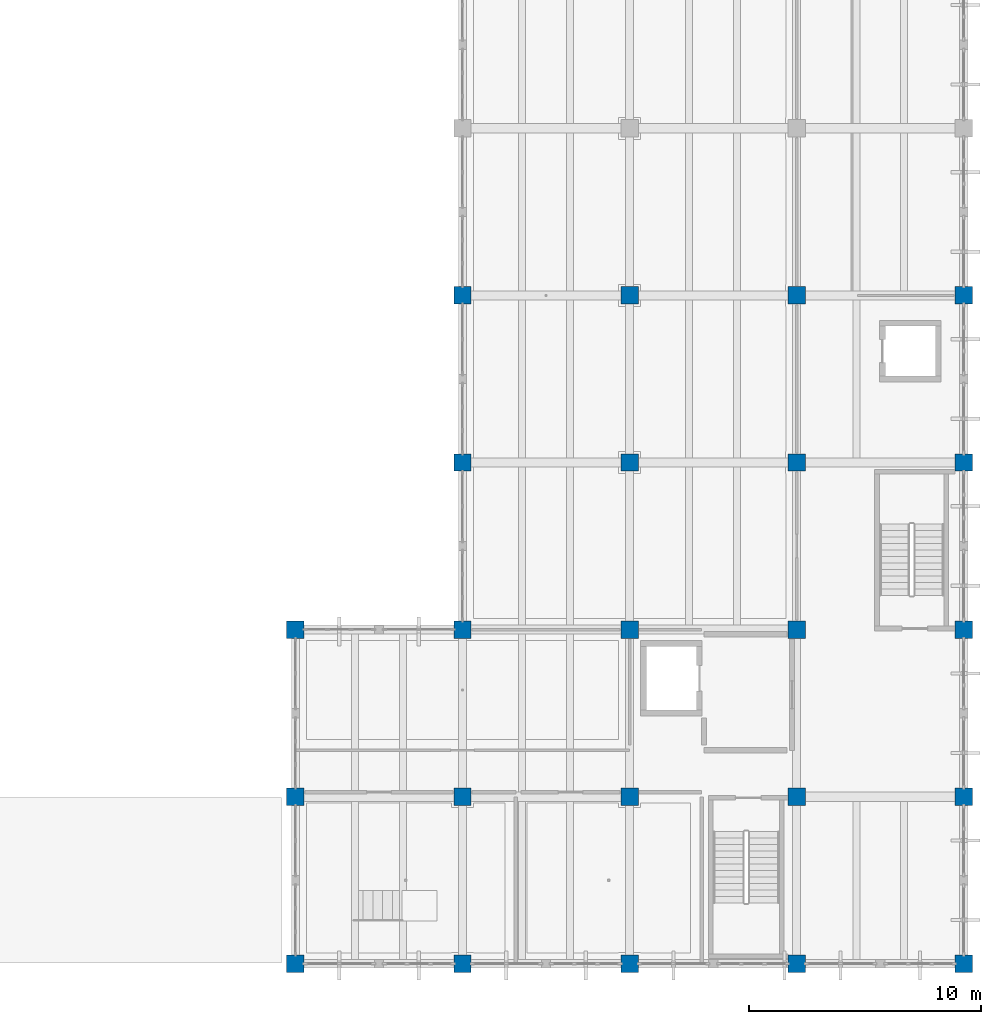
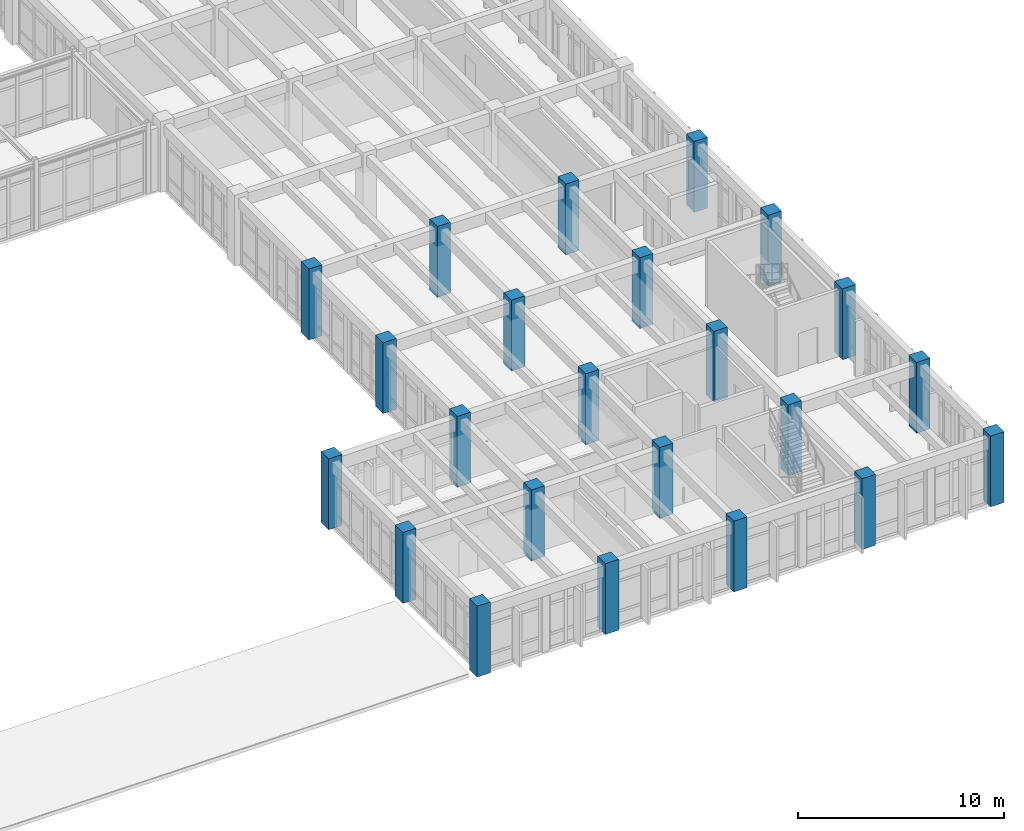
# One storey, part 4 of 136: 23 columns.
"""IFC4 building model written with IfcOpenShell, lengths in metres."""

from ifc_helpers import new_model, si_unit, direction, frame, origin, origin_2d, place, context, subcontext, project, spatial, rectangle, extrude, material, material_profile, profile_set, type_object, element, save


model = new_model("IFC4")

# Units and contexts
model_context = context("Model", 3, precision=1e-05, world=origin(), true_north=direction((0.0, 1.0)))
body_context = subcontext(model_context, "Body", "Model", "MODEL_VIEW")
ifc_project = project(units=[si_unit("LENGTHUNIT", "METRE"), si_unit("AREAUNIT", "SQUARE_METRE"), si_unit("VOLUMEUNIT", "CUBIC_METRE"), si_unit("PLANEANGLEUNIT", "RADIAN"), si_unit("MASSUNIT", "GRAM", prefix="KILO")], contexts=[model_context])

# Site, building, storey
site_placement = place(None, origin())
site = spatial("IfcSite", under=ifc_project, at=site_placement, CompositionType="ELEMENT")
building_placement = place(site_placement, origin())
building = spatial("IfcBuilding", under=site, at=building_placement, Name="Koriwan Promenade Central Fire Station", CompositionType="ELEMENT")
storey_placement = place(building_placement, frame((0.0, 0.0, 5.39990234375)))
storey = spatial("IfcBuildingStorey", under=building, at=storey_placement, Name="L01", CompositionType="ELEMENT", Elevation=5.39990234375)

# Columns
ifc_material = material(Name="Concrete C40/50", Category="concrete")
ifc_material_profile = material_profile(ifc_material, rectangle(XDim=0.75, YDim=0.75, at=origin_2d()), Name="RC-COL-750x750")
ifc_profile_set = profile_set([ifc_material_profile], Name="Concrete C40/50")
column_type = type_object("IfcColumnType", Name="Column_RC-COL-750x750", PredefinedType="COLUMN", material=ifc_profile_set)
for number, where, z_axis, x_axis, name in (
    (1, (144.0, 0.0, 0.0), (0.0, 0.0, 1.0), (1.0, 0.0, 0.0), "V5 L01 column (144.0, 0.0)"),
    (2, (144.0, 7.199951171875, 0.0), (0.0, 0.0, 1.0), (1.0, 0.0, 0.0), "V5 L01 column (144.0, 7.2)"),
    (3, (144.0, 14.39990234375, 0.0), (0.0, 0.0, 1.0), (1.0, 0.0, 0.0), "V5 L01 column (144.0, 14.4)"),
    (4, (151.199951171875, 0.0, 0.0), (0.0, 0.0, 1.0), (1.0, 0.0, 0.0), "V5 L01 column (151.2, 0.0)"),
    (5, (151.199951171875, 7.199951171875, 0.0), (0.0, 0.0, 1.0), (1.0, 0.0, 0.0), "V5 L01 column (151.2, 7.2)"),
    (6, (151.199951171875, 14.39990234375, 0.0), (0.0, 0.0, 1.0), (1.0, 0.0, 0.0), "V5 L01 column (151.2, 14.4)"),
    (7, (151.199951171875, 21.60009765625, 0.0), (0.0, 0.0, 1.0), (1.0, 0.0, 0.0), "V5 L01 column (151.2, 21.6)"),
    (8, (151.199951171875, 28.800048828125, 0.0), (0.0, 0.0, 1.0), (1.0, 0.0, 0.0), "V5 L01 column (151.2, 28.8)"),
    (9, (158.39990234375, 0.0, 0.0), (0.0, 0.0, 1.0), (1.0, 0.0, 0.0), "V5 L01 column (158.4, 0.0)"),
    (10, (158.39990234375, 7.199951171875, 0.0), (0.0, 0.0, 1.0), (1.0, 0.0, 0.0), "V5 L01 column (158.4, 7.2)"),
    (11, (158.39990234375, 14.39990234375, 0.0), (0.0, 0.0, 1.0), (1.0, 0.0, 0.0), "V5 L01 column (158.4, 14.4)"),
    (12, (158.39990234375, 21.60009765625, 0.0), (0.0, 0.0, 1.0), (1.0, 0.0, 0.0), "V5 L01 column (158.4, 21.6)"),
    (13, (158.39990234375, 28.800048828125, 0.0), (0.0, 0.0, 1.0), (1.0, 0.0, 0.0), "V5 L01 column (158.4, 28.8)"),
    (14, (165.60009765625, 0.0, 0.0), (0.0, 0.0, 1.0), (1.0, 0.0, 0.0), "V5 L01 column (165.6, 0.0)"),
    (15, (165.60009765625, 7.199951171875, 0.0), (0.0, 0.0, 1.0), (1.0, 0.0, 0.0), "V5 L01 column (165.6, 7.2)"),
    (16, (165.60009765625, 14.39990234375, 0.0), (0.0, 0.0, 1.0), (1.0, 0.0, 0.0), "V5 L01 column (165.6, 14.4)"),
    (17, (165.60009765625, 21.60009765625, 0.0), (0.0, 0.0, 1.0), (1.0, 0.0, 0.0), "V5 L01 column (165.6, 21.6)"),
    (18, (165.60009765625, 28.800048828125, 0.0), (0.0, 0.0, 1.0), (1.0, 0.0, 0.0), "V5 L01 column (165.6, 28.8)"),
    (19, (172.800048828125, 0.0, 0.0), (0.0, 0.0, 1.0), (1.0, 0.0, 0.0), "V5 L01 column (172.8, 0.0)"),
    (20, (172.800048828125, 7.199951171875, 0.0), (0.0, 0.0, 1.0), (1.0, 0.0, 0.0), "V5 L01 column (172.8, 7.2)"),
    (21, (172.800048828125, 14.39990234375, 0.0), (0.0, 0.0, 1.0), (1.0, 0.0, 0.0), "V5 L01 column (172.8, 14.4)"),
    (22, (172.800048828125, 21.60009765625, 0.0), (0.0, 0.0, 1.0), (1.0, 0.0, 0.0), "V5 L01 column (172.8, 21.6)"),
    (23, (172.800048828125, 28.800048828125, 0.0), (0.0, 0.0, 1.0), (1.0, 0.0, 0.0), "V5 L01 column (172.8, 28.8)"),
):
    element("IfcColumn", number, at=place(storey_placement, frame(where, z_axis=z_axis, x_axis=x_axis)), inside=storey, type_object=column_type, Name=name, PredefinedType="COLUMN", context=body_context, shape_type="SweptSolid", body=[
        extrude(rectangle(XDim=0.75, YDim=0.75, at=origin_2d()), origin(), (0.0, 0.0, 1.0), 4.2001953125),
    ])

save(model, "model.ifc")
